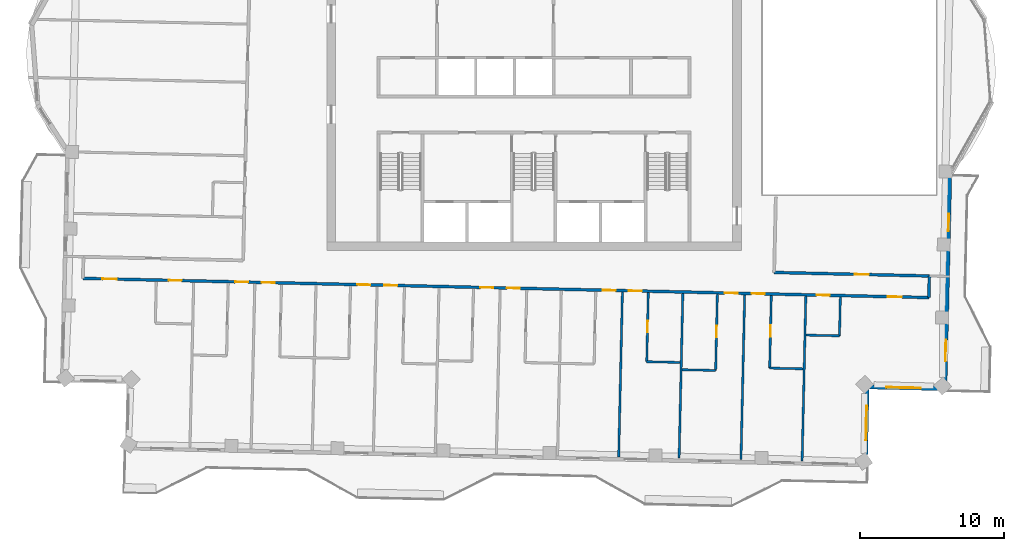
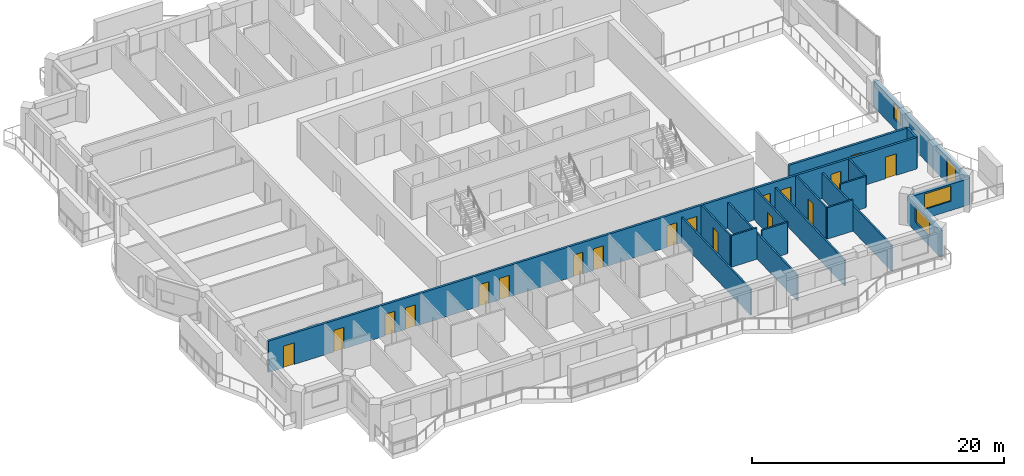
# One storey, part 6 of 15: 19 doors, 18 walls, 3 windows, 22 openings.
"""IFC4 building model written with IfcOpenShell, lengths in metres."""

from ifc_helpers import new_model, si_unit, direction, frame, frame_2d, origin, place, context, subcontext, project, spatial, rectangle, extrude, material, layer, layer_set, type_object, element, fill, save


model = new_model("IFC4")

# Units and contexts
model_context = context("Model", 3, precision=1e-05, world=origin(), true_north=direction((0.0, 1.0)))
body_context = subcontext(model_context, "Body", "Model", "MODEL_VIEW")
ifc_project = project(units=[si_unit("LENGTHUNIT", "METRE"), si_unit("AREAUNIT", "SQUARE_METRE"), si_unit("VOLUMEUNIT", "CUBIC_METRE"), si_unit("PLANEANGLEUNIT", "RADIAN"), si_unit("MASSUNIT", "GRAM", prefix="KILO")], contexts=[model_context])

# Site, building, storey
site_placement = place(None, origin())
site = spatial("IfcSite", under=ifc_project, at=site_placement, CompositionType="ELEMENT")
building_placement = place(site_placement, origin())
building = spatial("IfcBuilding", under=site, at=building_placement, Name="Mangrove Gate Tower", CompositionType="ELEMENT")
storey_placement = place(building_placement, frame((0.0, 0.0, 309.699951171875)))
storey = spatial("IfcBuildingStorey", under=building, at=storey_placement, Name="L79", CompositionType="ELEMENT", Elevation=309.699951171875)

# Wall, openings, doors
ifc_material_1 = material(Name="Gypsum board on steel stud, EI 60", Category="steel")
ifc_layer_1 = layer(ifc_material_1, 0.199951171875)
ifc_layer_set_1 = layer_set([ifc_layer_1], Name="Corridor wall EI 60")
wall_type_1 = type_object("IfcWallType", Name="Corridor wall EI 60", PredefinedType="PARTITIONING", material=ifc_layer_set_1)
wall_1_placement = place(storey_placement, frame((-31.346923828125, -13.3291015625, 0.0), z_axis=(0.0, 0.0, 1.0), x_axis=(0.999742613079, -0.022687168058, 0.0)))
wall_1 = element("IfcWall", 1, at=wall_1_placement, inside=storey, type_object=wall_type_1, Name="WALL-L79-034", PredefinedType="PARTITIONING", context=body_context, shape_type="SweptSolid", body=[
    extrude(rectangle(XDim=58.799072265625, YDim=0.199951171875, at=frame_2d((29.3994140625, 0.0))), origin(), (0.0, 0.0, 1.0), 3.050048828125),
])
opening_1_placement = place(wall_1_placement, frame((1.35009765625, 0.0, 0.0)))
opening_1 = element("IfcOpeningElement", 2, at=opening_1_placement, cuts=wall_1, Name="Opening AD", PredefinedType="OPENING", context=body_context, shape_type="SweptSolid", body=[
    extrude(rectangle(XDim=1.0, YDim=2.10009765625, at=frame_2d((0.5, 1.050048828125))), frame((0.0, 0.10986328125, 0.0), z_axis=(0.0, -1.0, 0.0), x_axis=(1.0, 0.0, 0.0)), (0.0, 0.0, 1.0), 0.219970703125),
])
opening_2_placement = place(wall_1_placement, frame((5.949951171875, 0.0, 0.0)))
opening_2 = element("IfcOpeningElement", 3, at=opening_2_placement, cuts=wall_1, Name="Opening SD", PredefinedType="OPENING", context=body_context, shape_type="SweptSolid", body=[
    extrude(rectangle(XDim=0.89990234375, YDim=2.10009765625, at=frame_2d((0.449951171875, 1.050048828125))), frame((0.0, 0.10986328125, 0.0), z_axis=(0.0, -1.0, 0.0), x_axis=(1.0, 0.0, 0.0)), (0.0, 0.0, 1.0), 0.219970703125),
])
opening_3_placement = place(wall_1_placement, frame((10.574951171875, 0.0, 0.0)))
opening_3 = element("IfcOpeningElement", 4, at=opening_3_placement, cuts=wall_1, Name="Opening BD", PredefinedType="OPENING", context=body_context, shape_type="SweptSolid", body=[
    extrude(rectangle(XDim=0.89990234375, YDim=2.10009765625, at=frame_2d((0.449951171875, 1.050048828125))), frame((0.0, 0.10986328125, 0.0), z_axis=(0.0, -1.0, 0.0), x_axis=(1.0, 0.0, 0.0)), (0.0, 0.0, 1.0), 0.219970703125),
])
opening_4_placement = place(wall_1_placement, frame((12.425048828125, 0.0, 0.0)))
opening_4 = element("IfcOpeningElement", 5, at=opening_4_placement, cuts=wall_1, Name="Opening BD", PredefinedType="OPENING", context=body_context, shape_type="SweptSolid", body=[
    extrude(rectangle(XDim=0.89990234375, YDim=2.10009765625, at=frame_2d((0.449951171875, 1.050048828125))), frame((0.0, 0.10986328125, 0.0), z_axis=(0.0, -1.0, 0.0), x_axis=(1.0, 0.0, 0.0)), (0.0, 0.0, 1.0), 0.219970703125),
])
opening_5_placement = place(wall_1_placement, frame((19.074951171875, 0.0, 0.0)))
opening_5 = element("IfcOpeningElement", 6, at=opening_5_placement, cuts=wall_1, Name="Opening BD", PredefinedType="OPENING", context=body_context, shape_type="SweptSolid", body=[
    extrude(rectangle(XDim=0.89990234375, YDim=2.10009765625, at=frame_2d((0.449951171875, 1.050048828125))), frame((0.0, 0.10986328125, 0.0), z_axis=(0.0, -1.0, 0.0), x_axis=(1.0, 0.0, 0.0)), (0.0, 0.0, 1.0), 0.219970703125),
])
opening_6_placement = place(wall_1_placement, frame((20.949951171875, 0.0, 0.0)))
opening_6 = element("IfcOpeningElement", 7, at=opening_6_placement, cuts=wall_1, Name="Opening BD", PredefinedType="OPENING", context=body_context, shape_type="SweptSolid", body=[
    extrude(rectangle(XDim=0.89990234375, YDim=2.10009765625, at=frame_2d((0.449951171875, 1.050048828125))), frame((0.0, 0.10986328125, 0.0), z_axis=(0.0, -1.0, 0.0), x_axis=(1.0, 0.0, 0.0)), (0.0, 0.0, 1.0), 0.219970703125),
])
opening_7_placement = place(wall_1_placement, frame((27.625, 0.0, 0.0)))
opening_7 = element("IfcOpeningElement", 8, at=opening_7_placement, cuts=wall_1, Name="Opening BD", PredefinedType="OPENING", context=body_context, shape_type="SweptSolid", body=[
    extrude(rectangle(XDim=0.89990234375, YDim=2.10009765625, at=frame_2d((0.449951171875, 1.050048828125))), frame((0.0, 0.10986328125, 0.0), z_axis=(0.0, -1.0, 0.0), x_axis=(1.0, 0.0, 0.0)), (0.0, 0.0, 1.0), 0.219970703125),
])
opening_8_placement = place(wall_1_placement, frame((29.47509765625, 0.0, 0.0)))
opening_8 = element("IfcOpeningElement", 9, at=opening_8_placement, cuts=wall_1, Name="Opening BD", PredefinedType="OPENING", context=body_context, shape_type="SweptSolid", body=[
    extrude(rectangle(XDim=0.89990234375, YDim=2.10009765625, at=frame_2d((0.449951171875, 1.050048828125))), frame((0.0, 0.10986328125, 0.0), z_axis=(0.0, -1.0, 0.0), x_axis=(1.0, 0.0, 0.0)), (0.0, 0.0, 1.0), 0.219970703125),
])
opening_9_placement = place(wall_1_placement, frame((36.125, 0.0, 0.0)))
opening_9 = element("IfcOpeningElement", 10, at=opening_9_placement, cuts=wall_1, Name="Opening BD", PredefinedType="OPENING", context=body_context, shape_type="SweptSolid", body=[
    extrude(rectangle(XDim=0.89990234375, YDim=2.10009765625, at=frame_2d((0.449951171875, 1.050048828125))), frame((0.0, 0.10986328125, 0.0), z_axis=(0.0, -1.0, 0.0), x_axis=(1.0, 0.0, 0.0)), (0.0, 0.0, 1.0), 0.219970703125),
])
opening_10_placement = place(wall_1_placement, frame((37.949951171875, 0.0, 0.0)))
opening_10 = element("IfcOpeningElement", 11, at=opening_10_placement, cuts=wall_1, Name="Opening BD", PredefinedType="OPENING", context=body_context, shape_type="SweptSolid", body=[
    extrude(rectangle(XDim=0.89990234375, YDim=2.10009765625, at=frame_2d((0.449951171875, 1.050048828125))), frame((0.0, 0.10986328125, 0.0), z_axis=(0.0, -1.0, 0.0), x_axis=(1.0, 0.0, 0.0)), (0.0, 0.0, 1.0), 0.219970703125),
])
opening_11_placement = place(wall_1_placement, frame((44.60009765625, 0.0, 0.0)))
opening_11 = element("IfcOpeningElement", 12, at=opening_11_placement, cuts=wall_1, Name="Opening BD", PredefinedType="OPENING", context=body_context, shape_type="SweptSolid", body=[
    extrude(rectangle(XDim=0.89990234375, YDim=2.10009765625, at=frame_2d((0.449951171875, 1.050048828125))), frame((0.0, 0.10986328125, 0.0), z_axis=(0.0, -1.0, 0.0), x_axis=(1.0, 0.0, 0.0)), (0.0, 0.0, 1.0), 0.219970703125),
])
opening_12_placement = place(wall_1_placement, frame((46.47509765625, 0.0, 0.0)))
opening_12 = element("IfcOpeningElement", 13, at=opening_12_placement, cuts=wall_1, Name="Opening BD", PredefinedType="OPENING", context=body_context, shape_type="SweptSolid", body=[
    extrude(rectangle(XDim=0.89990234375, YDim=2.10009765625, at=frame_2d((0.449951171875, 1.050048828125))), frame((0.0, 0.10986328125, 0.0), z_axis=(0.0, -1.0, 0.0), x_axis=(1.0, 0.0, 0.0)), (0.0, 0.0, 1.0), 0.219970703125),
])
opening_13_placement = place(wall_1_placement, frame((55.925048828125, 0.0, 0.0)))
opening_13 = element("IfcOpeningElement", 14, at=opening_13_placement, cuts=wall_1, Name="Opening AD", PredefinedType="OPENING", context=body_context, shape_type="SweptSolid", body=[
    extrude(rectangle(XDim=1.0, YDim=2.10009765625, at=frame_2d((0.5, 1.050048828125))), frame((0.0, 0.10986328125, 0.0), z_axis=(0.0, -1.0, 0.0), x_axis=(1.0, 0.0, 0.0)), (0.0, 0.0, 1.0), 0.219970703125),
])
opening_14_placement = place(wall_1_placement, frame((51.0, 0.0, 0.0)))
opening_14 = element("IfcOpeningElement", 15, at=opening_14_placement, cuts=wall_1, Name="Opening SD", PredefinedType="OPENING", context=body_context, shape_type="SweptSolid", body=[
    extrude(rectangle(XDim=0.89990234375, YDim=2.10009765625, at=frame_2d((0.449951171875, 1.050048828125))), frame((0.0, 0.10986328125, 0.0), z_axis=(0.0, -1.0, 0.0), x_axis=(1.0, 0.0, 0.0)), (0.0, 0.0, 1.0), 0.219970703125),
])
ifc_material_2 = material(Name="Timber door leaf", Category="wood")
door_type_1 = type_object("IfcDoorType", Name="Amenity door 1000", OperationType="SINGLE_SWING_LEFT", PredefinedType="DOOR", material=ifc_material_2)
door_1_placement = place(opening_1_placement, origin())
door_1 = element("IfcDoor", 16, at=door_1_placement, inside=storey, type_object=door_type_1, Name="DOOR-L79-LNG-c1a", OperationType="SINGLE_SWING_LEFT", OverallHeight=2.10009765625, OverallWidth=1.0, PredefinedType="DOOR", context=body_context, shape_type="SweptSolid", body=[
    extrude(rectangle(XDim=1.0, YDim=2.10009765625, at=frame_2d((0.5, 1.050048828125))), frame((0.0, 0.02490234375, 0.0), z_axis=(0.0, -1.0, 0.0), x_axis=(1.0, 0.0, 0.0)), (0.0, 0.0, 1.0), 0.050048828125),
])
fill(opening_1, door_1)
door_2_placement = place(opening_13_placement, origin())
door_2 = element("IfcDoor", 17, at=door_2_placement, inside=storey, type_object=door_type_1, Name="DOOR-L79-LNG-c3a", OperationType="SINGLE_SWING_RIGHT", OverallHeight=2.10009765625, OverallWidth=1.0, PredefinedType="DOOR", context=body_context, shape_type="SweptSolid", body=[
    extrude(rectangle(XDim=1.0, YDim=2.10009765625, at=frame_2d((0.5, 1.050048828125))), frame((0.0, 0.02490234375, 0.0), z_axis=(0.0, -1.0, 0.0), x_axis=(1.0, 0.0, 0.0)), (0.0, 0.0, 1.0), 0.050048828125),
])
fill(opening_13, door_2)
ifc_material_3 = material(Name="Timber door leaf", Category="wood")
door_type_2 = type_object("IfcDoorType", Name="Bedroom door 900", OperationType="SINGLE_SWING_LEFT", PredefinedType="DOOR", material=ifc_material_3)
door_3_placement = place(opening_3_placement, origin())
door_3 = element("IfcDoor", 18, at=door_3_placement, inside=storey, type_object=door_type_2, Name="DOOR-L79-BED-c101", OperationType="SINGLE_SWING_LEFT", OverallHeight=2.10009765625, OverallWidth=0.89990234375, PredefinedType="DOOR", context=body_context, shape_type="SweptSolid", body=[
    extrude(rectangle(XDim=0.89990234375, YDim=2.10009765625, at=frame_2d((0.449951171875, 1.050048828125))), frame((0.0, 0.02490234375, 0.0), z_axis=(0.0, -1.0, 0.0), x_axis=(1.0, 0.0, 0.0)), (0.0, 0.0, 1.0), 0.050048828125),
])
fill(opening_3, door_3)
door_4_placement = place(opening_4_placement, origin())
door_4 = element("IfcDoor", 19, at=door_4_placement, inside=storey, type_object=door_type_2, Name="DOOR-L79-BED-c102", OperationType="SINGLE_SWING_RIGHT", OverallHeight=2.10009765625, OverallWidth=0.89990234375, PredefinedType="DOOR", context=body_context, shape_type="SweptSolid", body=[
    extrude(rectangle(XDim=0.89990234375, YDim=2.10009765625, at=frame_2d((0.449951171875, 1.050048828125))), frame((0.0, 0.02490234375, 0.0), z_axis=(0.0, -1.0, 0.0), x_axis=(1.0, 0.0, 0.0)), (0.0, 0.0, 1.0), 0.050048828125),
])
fill(opening_4, door_4)
door_5_placement = place(opening_5_placement, origin())
door_5 = element("IfcDoor", 20, at=door_5_placement, inside=storey, type_object=door_type_2, Name="DOOR-L79-BED-c103", OperationType="SINGLE_SWING_LEFT", OverallHeight=2.10009765625, OverallWidth=0.89990234375, PredefinedType="DOOR", context=body_context, shape_type="SweptSolid", body=[
    extrude(rectangle(XDim=0.89990234375, YDim=2.10009765625, at=frame_2d((0.449951171875, 1.050048828125))), frame((0.0, 0.02490234375, 0.0), z_axis=(0.0, -1.0, 0.0), x_axis=(1.0, 0.0, 0.0)), (0.0, 0.0, 1.0), 0.050048828125),
])
fill(opening_5, door_5)
door_6_placement = place(opening_6_placement, origin())
door_6 = element("IfcDoor", 21, at=door_6_placement, inside=storey, type_object=door_type_2, Name="DOOR-L79-BED-c104", OperationType="SINGLE_SWING_RIGHT", OverallHeight=2.10009765625, OverallWidth=0.89990234375, PredefinedType="DOOR", context=body_context, shape_type="SweptSolid", body=[
    extrude(rectangle(XDim=0.89990234375, YDim=2.10009765625, at=frame_2d((0.449951171875, 1.050048828125))), frame((0.0, 0.02490234375, 0.0), z_axis=(0.0, -1.0, 0.0), x_axis=(1.0, 0.0, 0.0)), (0.0, 0.0, 1.0), 0.050048828125),
])
fill(opening_6, door_6)
door_7_placement = place(opening_7_placement, origin())
door_7 = element("IfcDoor", 22, at=door_7_placement, inside=storey, type_object=door_type_2, Name="DOOR-L79-BED-c205", OperationType="SINGLE_SWING_LEFT", OverallHeight=2.10009765625, OverallWidth=0.89990234375, PredefinedType="DOOR", context=body_context, shape_type="SweptSolid", body=[
    extrude(rectangle(XDim=0.89990234375, YDim=2.10009765625, at=frame_2d((0.449951171875, 1.050048828125))), frame((0.0, 0.02490234375, 0.0), z_axis=(0.0, -1.0, 0.0), x_axis=(1.0, 0.0, 0.0)), (0.0, 0.0, 1.0), 0.050048828125),
])
fill(opening_7, door_7)
door_8_placement = place(opening_8_placement, origin())
door_8 = element("IfcDoor", 23, at=door_8_placement, inside=storey, type_object=door_type_2, Name="DOOR-L79-BED-c206", OperationType="SINGLE_SWING_RIGHT", OverallHeight=2.10009765625, OverallWidth=0.89990234375, PredefinedType="DOOR", context=body_context, shape_type="SweptSolid", body=[
    extrude(rectangle(XDim=0.89990234375, YDim=2.10009765625, at=frame_2d((0.449951171875, 1.050048828125))), frame((0.0, 0.02490234375, 0.0), z_axis=(0.0, -1.0, 0.0), x_axis=(1.0, 0.0, 0.0)), (0.0, 0.0, 1.0), 0.050048828125),
])
fill(opening_8, door_8)
door_9_placement = place(opening_9_placement, origin())
door_9 = element("IfcDoor", 24, at=door_9_placement, inside=storey, type_object=door_type_2, Name="DOOR-L79-BED-c207", OperationType="SINGLE_SWING_LEFT", OverallHeight=2.10009765625, OverallWidth=0.89990234375, PredefinedType="DOOR", context=body_context, shape_type="SweptSolid", body=[
    extrude(rectangle(XDim=0.89990234375, YDim=2.10009765625, at=frame_2d((0.449951171875, 1.050048828125))), frame((0.0, 0.02490234375, 0.0), z_axis=(0.0, -1.0, 0.0), x_axis=(1.0, 0.0, 0.0)), (0.0, 0.0, 1.0), 0.050048828125),
])
fill(opening_9, door_9)
door_10_placement = place(opening_10_placement, origin())
door_10 = element("IfcDoor", 25, at=door_10_placement, inside=storey, type_object=door_type_2, Name="DOOR-L79-BED-c208", OperationType="SINGLE_SWING_RIGHT", OverallHeight=2.10009765625, OverallWidth=0.89990234375, PredefinedType="DOOR", context=body_context, shape_type="SweptSolid", body=[
    extrude(rectangle(XDim=0.89990234375, YDim=2.10009765625, at=frame_2d((0.449951171875, 1.050048828125))), frame((0.0, 0.02490234375, 0.0), z_axis=(0.0, -1.0, 0.0), x_axis=(1.0, 0.0, 0.0)), (0.0, 0.0, 1.0), 0.050048828125),
])
fill(opening_10, door_10)
door_11_placement = place(opening_11_placement, origin())
door_11 = element("IfcDoor", 26, at=door_11_placement, inside=storey, type_object=door_type_2, Name="DOOR-L79-BED-c309", OperationType="SINGLE_SWING_LEFT", OverallHeight=2.10009765625, OverallWidth=0.89990234375, PredefinedType="DOOR", context=body_context, shape_type="SweptSolid", body=[
    extrude(rectangle(XDim=0.89990234375, YDim=2.10009765625, at=frame_2d((0.449951171875, 1.050048828125))), frame((0.0, 0.02490234375, 0.0), z_axis=(0.0, -1.0, 0.0), x_axis=(1.0, 0.0, 0.0)), (0.0, 0.0, 1.0), 0.050048828125),
])
fill(opening_11, door_11)
door_12_placement = place(opening_12_placement, origin())
door_12 = element("IfcDoor", 27, at=door_12_placement, inside=storey, type_object=door_type_2, Name="DOOR-L79-BED-c310", OperationType="SINGLE_SWING_RIGHT", OverallHeight=2.10009765625, OverallWidth=0.89990234375, PredefinedType="DOOR", context=body_context, shape_type="SweptSolid", body=[
    extrude(rectangle(XDim=0.89990234375, YDim=2.10009765625, at=frame_2d((0.449951171875, 1.050048828125))), frame((0.0, 0.02490234375, 0.0), z_axis=(0.0, -1.0, 0.0), x_axis=(1.0, 0.0, 0.0)), (0.0, 0.0, 1.0), 0.050048828125),
])
fill(opening_12, door_12)
ifc_material_4 = material(Name="Timber door leaf", Category="wood")
door_type_3 = type_object("IfcDoorType", Name="Service room door 900", OperationType="SINGLE_SWING_LEFT", PredefinedType="DOOR", material=ifc_material_4)
door_13_placement = place(opening_2_placement, origin())
door_13 = element("IfcDoor", 28, at=door_13_placement, inside=storey, type_object=door_type_3, Name="DOOR-L79-AWC-c1a", OperationType="SINGLE_SWING_LEFT", OverallHeight=2.10009765625, OverallWidth=0.89990234375, PredefinedType="DOOR", context=body_context, shape_type="SweptSolid", body=[
    extrude(rectangle(XDim=0.89990234375, YDim=2.10009765625, at=frame_2d((0.449951171875, 1.050048828125))), frame((0.0, 0.02490234375, 0.0), z_axis=(0.0, -1.0, 0.0), x_axis=(1.0, 0.0, 0.0)), (0.0, 0.0, 1.0), 0.050048828125),
])
fill(opening_2, door_13)
door_14_placement = place(opening_14_placement, origin())
door_14 = element("IfcDoor", 29, at=door_14_placement, inside=storey, type_object=door_type_3, Name="DOOR-L79-WC-c3a", OperationType="SINGLE_SWING_RIGHT", OverallHeight=2.10009765625, OverallWidth=0.89990234375, PredefinedType="DOOR", context=body_context, shape_type="SweptSolid", body=[
    extrude(rectangle(XDim=0.89990234375, YDim=2.10009765625, at=frame_2d((0.449951171875, 1.050048828125))), frame((0.0, 0.02490234375, 0.0), z_axis=(0.0, -1.0, 0.0), x_axis=(1.0, 0.0, 0.0)), (0.0, 0.0, 1.0), 0.050048828125),
])
fill(opening_14, door_14)

# Wall
wall_2_placement = place(storey_placement, frame((27.43701171875, -14.6630859375, 0.0), z_axis=(0.0, 0.0, 1.0), x_axis=(0.022617910375, 0.999744182344, 0.0)))
element("IfcWall", 30, at=wall_2_placement, inside=storey, type_object=wall_type_1, Name="WALL-L79-036", PredefinedType="PARTITIONING", context=body_context, shape_type="SweptSolid", body=[
    extrude(rectangle(XDim=1.50048828125, YDim=0.199951171875, at=frame_2d((0.750244140625, 0.0))), origin(), (0.0, 0.0, 1.0), 3.050048828125),
])

# Wall, opening, door
wall_3_placement = place(storey_placement, frame((16.678955078125, -12.91796875, 0.0), z_axis=(0.0, 0.0, 1.0), x_axis=(0.999742162372, -0.022707020428, 0.0)))
wall_3 = element("IfcWall", 31, at=wall_3_placement, inside=storey, type_object=wall_type_1, Name="WALL-L79-040", PredefinedType="PARTITIONING", context=body_context, shape_type="SweptSolid", body=[
    extrude(rectangle(XDim=10.794677734375, YDim=0.199951171875, at=frame_2d((5.3974609375, 0.0))), origin(), (0.0, 0.0, 1.0), 3.050048828125),
])
opening_15_placement = place(wall_3_placement, frame((5.597900390625, 0.0, 0.0)))
opening_15 = element("IfcOpeningElement", 32, at=opening_15_placement, cuts=wall_3, Name="Opening AD", PredefinedType="OPENING", context=body_context, shape_type="SweptSolid", body=[
    extrude(rectangle(XDim=1.0, YDim=2.10009765625, at=frame_2d((0.5, 1.050048828125))), frame((0.0, 0.10986328125, 0.0), z_axis=(0.0, -1.0, 0.0), x_axis=(1.0, 0.0, 0.0)), (0.0, 0.0, 1.0), 0.219970703125),
])
door_15_placement = place(opening_15_placement, origin())
door_15 = element("IfcDoor", 33, at=door_15_placement, inside=storey, type_object=door_type_1, Name="DOOR-L79-LNG-c3b", OperationType="SINGLE_SWING_LEFT", OverallHeight=2.10009765625, OverallWidth=1.0, PredefinedType="DOOR", context=body_context, shape_type="SweptSolid", body=[
    extrude(rectangle(XDim=1.0, YDim=2.10009765625, at=frame_2d((0.5, 1.050048828125))), frame((0.0, 0.02490234375, 0.0), z_axis=(0.0, -1.0, 0.0), x_axis=(1.0, 0.0, 0.0)), (0.0, 0.0, 1.0), 0.050048828125),
])
fill(opening_15, door_15)

# Wall, openings, door, window
ifc_material_5 = material(Name="Limestone", Category="masonry")
ifc_layer_2 = layer(ifc_material_5, 0.0400390625, Name="Limestone cladding")
ifc_material_6 = material(Name="Ventilated air gap")
ifc_layer_3 = layer(ifc_material_6, 0.0400390625, Name="Ventilated cavity")
ifc_material_7 = material(Name="Mineral wool insulation")
ifc_layer_4 = layer(ifc_material_7, 0.06005859375, Name="Insulation")
ifc_material_8 = material(Name="Breather membrane")
ifc_layer_5 = layer(ifc_material_8, 0.001953125, Name="Breather membrane")
ifc_material_9 = material(Name="Concrete C20/25 blockwork", Category="masonry")
ifc_layer_6 = layer(ifc_material_9, 0.14990234375, Name="Blockwork backing wall")
ifc_material_10 = material(Name="Gypsum plaster")
ifc_layer_7 = layer(ifc_material_10, 0.008056640625, Name="Internal plaster")
ifc_layer_set_2 = layer_set([ifc_layer_2, ifc_layer_3, ifc_layer_4, ifc_layer_5, ifc_layer_6, ifc_layer_7], Name="External wall 300 limestone cladding")
wall_type_2 = type_object("IfcWallType", Name="External wall 300 limestone cladding", PredefinedType="SOLIDWALL", material=ifc_layer_set_2)
wall_4_placement = place(storey_placement, frame((28.5439453125, -20.989990234375, 0.0), z_axis=(0.0, 0.0, 1.0), x_axis=(0.022676396018, 0.999742857471, 0.0)))
wall_4 = element("IfcWall", 34, at=wall_4_placement, inside=storey, type_object=wall_type_2, Name="WALL-L79-E0s1", PredefinedType="SOLIDWALL", context=body_context, shape_type="SweptSolid", body=[
    extrude(rectangle(XDim=15.52490234375, YDim=0.300048828125, at=frame_2d((7.762451171875, 0.0))), origin(), (0.0, 0.0, 1.0), 2.550048828125),
])
opening_16_placement = place(wall_4_placement, frame((1.89501953125, 0.0, 0.0)))
opening_16 = element("IfcOpeningElement", 35, at=opening_16_placement, cuts=wall_4, Name="Opening BD1", PredefinedType="OPENING", context=body_context, shape_type="SweptSolid", body=[
    extrude(rectangle(XDim=1.5, YDim=2.39990234375, at=frame_2d((0.75, 1.199951171875))), frame((0.0, 0.159912109375, 0.0), z_axis=(0.0, -1.0, 0.0), x_axis=(1.0, 0.0, 0.0)), (0.0, 0.0, 1.0), 0.320068359375),
])
opening_17_placement = place(wall_4_placement, frame((10.946044921875, 0.0, 0.89990234375)))
opening_17 = element("IfcOpeningElement", 36, at=opening_17_placement, cuts=wall_4, Name="Opening W1", PredefinedType="OPENING", context=body_context, shape_type="SweptSolid", body=[
    extrude(rectangle(XDim=1.199951171875, YDim=1.5, at=frame_2d((0.60009765625, 0.75))), frame((0.0, 0.159912109375, 0.0), z_axis=(0.0, -1.0, 0.0), x_axis=(1.0, 0.0, 0.0)), (0.0, 0.0, 1.0), 0.320068359375),
])
ifc_material_11 = material(Name="Aluminium frame with laminated clear glass", Category="aluminium")
door_type_4 = type_object("IfcDoorType", Name="Balcony sliding door 1500x2400", OperationType="SLIDING_TO_LEFT", PredefinedType="DOOR", material=ifc_material_11)
door_16_placement = place(opening_16_placement, origin())
door_16 = element("IfcDoor", 37, at=door_16_placement, inside=storey, type_object=door_type_4, Name="DOOR-L79-E0-1", OperationType="SLIDING_TO_LEFT", OverallHeight=2.39990234375, OverallWidth=1.5, PredefinedType="DOOR", context=body_context, shape_type="SweptSolid", body=[
    extrude(rectangle(XDim=1.5, YDim=2.39990234375, at=frame_2d((0.75, 1.199951171875))), frame((0.0, 0.02490234375, 0.0), z_axis=(0.0, -1.0, 0.0), x_axis=(1.0, 0.0, 0.0)), (0.0, 0.0, 1.0), 0.050048828125),
])
fill(opening_16, door_16)
ifc_material_12 = material(Name="Aluminium frame with double-glazed low-e glass", Category="aluminium")
window_type_1 = type_object("IfcWindowType", Name="Side lite 1200x1500", PartitioningType="SINGLE_PANEL", PredefinedType="WINDOW", material=ifc_material_12)
window_1_placement = place(opening_17_placement, origin())
window_1 = element("IfcWindow", 38, at=window_1_placement, inside=storey, type_object=window_type_1, Name="WIN-L79-E0-2", OverallHeight=1.5, OverallWidth=1.199951171875, PartitioningType="SINGLE_PANEL", PredefinedType="WINDOW", context=body_context, shape_type="SweptSolid", body=[
    extrude(rectangle(XDim=1.199951171875, YDim=1.5, at=frame_2d((0.60009765625, 0.75))), frame((0.0, 0.030029296875, 0.0), z_axis=(0.0, -1.0, 0.0), x_axis=(1.0, 0.0, 0.0)), (0.0, 0.0, 1.0), 0.06005859375),
])
fill(opening_17, window_1)

# Wall, opening, window
wall_5_placement = place(storey_placement, frame((23.02294921875, -26.26611328125, 0.0), z_axis=(0.0, 0.0, 1.0), x_axis=(0.022784045517, 0.999740409941, 0.0)))
wall_5 = element("IfcWall", 39, at=wall_5_placement, inside=storey, type_object=wall_type_2, Name="WALL-L79-E14", PredefinedType="SOLIDWALL", context=body_context, shape_type="SweptSolid", body=[
    extrude(rectangle(XDim=5.400634765625, YDim=0.300048828125, at=frame_2d((2.7001953125, 0.0))), origin(), (0.0, 0.0, 1.0), 2.550048828125),
])
opening_18_placement = place(wall_5_placement, frame((1.68701171875, 0.0, 0.89990234375)))
opening_18 = element("IfcOpeningElement", 40, at=opening_18_placement, cuts=wall_5, Name="Opening W2", PredefinedType="OPENING", context=body_context, shape_type="SweptSolid", body=[
    extrude(rectangle(XDim=2.39990234375, YDim=1.5, at=frame_2d((1.199951171875, 0.75))), frame((0.0, 0.159912109375, 0.0), z_axis=(0.0, -1.0, 0.0), x_axis=(1.0, 0.0, 0.0)), (0.0, 0.0, 1.0), 0.320068359375),
])
ifc_material_13 = material(Name="Aluminium frame with double-glazed low-e glass", Category="aluminium")
window_type_2 = type_object("IfcWindowType", Name="Corner room window 2400x1500", PartitioningType="DOUBLE_PANEL_VERTICAL", PredefinedType="WINDOW", material=ifc_material_13)
window_2_placement = place(opening_18_placement, origin())
window_2 = element("IfcWindow", 41, at=window_2_placement, inside=storey, type_object=window_type_2, Name="WIN-L79-E14-1", OverallHeight=1.5, OverallWidth=2.39990234375, PartitioningType="DOUBLE_PANEL_VERTICAL", PredefinedType="WINDOW", context=body_context, shape_type="SweptSolid", body=[
    extrude(rectangle(XDim=2.39990234375, YDim=1.5, at=frame_2d((1.199951171875, 0.75))), frame((0.0, 0.030029296875, 0.0), z_axis=(0.0, -1.0, 0.0), x_axis=(1.0, 0.0, 0.0)), (0.0, 0.0, 1.0), 0.06005859375),
])
fill(opening_18, window_2)

wall_6_placement = place(storey_placement, frame((23.14599609375, -20.866943359375, 0.0), z_axis=(0.0, 0.0, 1.0), x_axis=(0.999740292565, -0.022789195272, 0.0)))
wall_6 = element("IfcWall", 42, at=wall_6_placement, inside=storey, type_object=wall_type_2, Name="WALL-L79-S15", PredefinedType="SOLIDWALL", context=body_context, shape_type="SweptSolid", body=[
    extrude(rectangle(XDim=5.3994140625, YDim=0.300048828125, at=frame_2d((2.69970703125, 0.0))), origin(), (0.0, 0.0, 1.0), 2.550048828125),
])
opening_19_placement = place(wall_6_placement, frame((1.3369140625, 0.0, 0.89990234375)))
opening_19 = element("IfcOpeningElement", 43, at=opening_19_placement, cuts=wall_6, Name="Opening W2", PredefinedType="OPENING", context=body_context, shape_type="SweptSolid", body=[
    extrude(rectangle(XDim=2.39990234375, YDim=1.5, at=frame_2d((1.199951171875, 0.75))), frame((0.0, 0.159912109375, 0.0), z_axis=(0.0, -1.0, 0.0), x_axis=(1.0, 0.0, 0.0)), (0.0, 0.0, 1.0), 0.320068359375),
])
window_3_placement = place(opening_19_placement, origin())
window_3 = element("IfcWindow", 44, at=window_3_placement, inside=storey, type_object=window_type_2, Name="WIN-L79-S15-1", OverallHeight=1.5, OverallWidth=2.39990234375, PartitioningType="DOUBLE_PANEL_VERTICAL", PredefinedType="WINDOW", context=body_context, shape_type="SweptSolid", body=[
    extrude(rectangle(XDim=2.39990234375, YDim=1.5, at=frame_2d((1.199951171875, 0.75))), frame((0.0, 0.030029296875, 0.0), z_axis=(0.0, -1.0, 0.0), x_axis=(1.0, 0.0, 0.0)), (0.0, 0.0, 1.0), 0.06005859375),
])
fill(opening_19, window_3)

# Walls
ifc_material_14 = material(Name="Gypsum board on steel stud, EI 60", Category="steel")
ifc_layer_8 = layer(ifc_material_14, 0.14990234375)
ifc_layer_set_3 = layer_set([ifc_layer_8], Name="Party wall 150 EI 60")
wall_type_3 = type_object("IfcWallType", Name="Party wall 150 EI 60", PredefinedType="PARTITIONING", material=ifc_layer_set_3)
for number, where, z_axis, x_axis, name in (
    (45, (5.881103515625, -25.72705078125, 0.0), (0.0, 0.0, 1.0), (0.022708327922, 0.999742132674, 0.0), "WALL-L79-008"),
    (46, (10.080078125, -25.822021484375, 0.0), (0.0, 0.0, 1.0), (0.022708327922, 0.999742132674, 0.0), "WALL-L79-009"),
    (47, (14.37890625, -25.919921875, 0.0), (0.0, 0.0, 1.0), (0.022623082162, 0.999744065325, 0.0), "WALL-L79-010"),
    (48, (18.6279296875, -26.01611328125, 0.0), (0.0, 0.0, 1.0), (0.022623082162, 0.999744065325, 0.0), "WALL-L79-011"),
):
    element("IfcWall", number, at=place(storey_placement, frame(where, z_axis=z_axis, x_axis=x_axis)), inside=storey, type_object=wall_type_3, Name=name, PredefinedType="PARTITIONING", context=body_context, shape_type="SweptSolid", body=[
        extrude(rectangle(XDim=11.449951171875, YDim=0.14990234375, at=frame_2d((5.72509765625, 0.0))), origin(), (0.0, 0.0, 1.0), 2.5),
    ])
wall_7_placement = place(storey_placement, frame((10.2939453125, -19.675048828125, 0.0), z_axis=(0.0, 0.0, 1.0), x_axis=(0.999740478815, -0.022781023197, 0.0)))
element("IfcWall", 49, at=wall_7_placement, inside=storey, type_object=wall_type_3, Name="WALL-L79-014", PredefinedType="PARTITIONING", context=body_context, shape_type="SweptSolid", body=[
    extrude(rectangle(XDim=2.325439453125, YDim=0.14990234375, at=frame_2d((1.16259765625, 0.0))), origin(), (0.0, 0.0, 1.0), 3.050048828125),
])

# Wall, opening, door
wall_8_placement = place(storey_placement, frame((12.618896484375, -19.72802734375, 0.0), z_axis=(0.0, 0.0, 1.0), x_axis=(0.022661766832, 0.999743189186, 0.0)))
wall_8 = element("IfcWall", 50, at=wall_8_placement, inside=storey, type_object=wall_type_3, Name="WALL-L79-015", PredefinedType="PARTITIONING", context=body_context, shape_type="SweptSolid", body=[
    extrude(rectangle(XDim=5.300537109375, YDim=0.14990234375, at=frame_2d((2.650390625, 0.0))), origin(), (0.0, 0.0, 1.0), 3.050048828125),
])
opening_20_placement = place(wall_8_placement, frame((2.300048828125, 0.0, 0.0)))
opening_20 = element("IfcOpeningElement", 51, at=opening_20_placement, cuts=wall_8, Name="Opening ED", PredefinedType="OPENING", context=body_context, shape_type="SweptSolid", body=[
    extrude(rectangle(XDim=0.800048828125, YDim=2.10009765625, at=frame_2d((0.39990234375, 1.050048828125))), frame((0.0, 0.0849609375, 0.0), z_axis=(0.0, -1.0, 0.0), x_axis=(1.0, 0.0, 0.0)), (0.0, 0.0, 1.0), 0.169921875),
])
ifc_material_15 = material(Name="Timber door leaf", Category="wood")
door_type_5 = type_object("IfcDoorType", Name="En-suite door 800", OperationType="SINGLE_SWING_LEFT", PredefinedType="DOOR", material=ifc_material_15)
door_17_placement = place(opening_20_placement, origin())
door_17 = element("IfcDoor", 52, at=door_17_placement, inside=storey, type_object=door_type_5, Name="DOOR-L79-ENS-c309", OperationType="SINGLE_SWING_LEFT", OverallHeight=2.10009765625, OverallWidth=0.800048828125, PredefinedType="DOOR", context=body_context, shape_type="SweptSolid", body=[
    extrude(rectangle(XDim=0.800048828125, YDim=2.10009765625, at=frame_2d((0.39990234375, 1.050048828125))), frame((0.0, 0.02490234375, 0.0), z_axis=(0.0, -1.0, 0.0), x_axis=(1.0, 0.0, 0.0)), (0.0, 0.0, 1.0), 0.050048828125),
])
fill(opening_20, door_17)

# Wall
wall_9_placement = place(storey_placement, frame((16.373046875, -19.56298828125, 0.0), z_axis=(0.0, 0.0, 1.0), x_axis=(0.999740478815, -0.022781023197, 0.0)))
element("IfcWall", 53, at=wall_9_placement, inside=storey, type_object=wall_type_3, Name="WALL-L79-026", PredefinedType="PARTITIONING", context=body_context, shape_type="SweptSolid", body=[
    extrude(rectangle(XDim=2.325439453125, YDim=0.14990234375, at=frame_2d((1.16259765625, 0.0))), origin(), (0.0, 0.0, 1.0), 3.050048828125),
])

# Wall, opening, door
wall_10_placement = place(storey_placement, frame((16.373046875, -19.56298828125, 0.0), z_axis=(0.0, 0.0, 1.0), x_axis=(0.022773025649, 0.999740661023, 0.0)))
wall_10 = element("IfcWall", 54, at=wall_10_placement, inside=storey, type_object=wall_type_3, Name="WALL-L79-027", PredefinedType="PARTITIONING", context=body_context, shape_type="SweptSolid", body=[
    extrude(rectangle(XDim=5.04931640625, YDim=0.14990234375, at=frame_2d((2.524658203125, 0.0))), origin(), (0.0, 0.0, 1.0), 3.050048828125),
])
opening_21_placement = place(wall_10_placement, frame((2.175048828125, 0.0, 0.0)))
opening_21 = element("IfcOpeningElement", 55, at=opening_21_placement, cuts=wall_10, Name="Opening ED", PredefinedType="OPENING", context=body_context, shape_type="SweptSolid", body=[
    extrude(rectangle(XDim=0.800048828125, YDim=2.10009765625, at=frame_2d((0.39990234375, 1.050048828125))), frame((0.0, 0.0849609375, 0.0), z_axis=(0.0, -1.0, 0.0), x_axis=(1.0, 0.0, 0.0)), (0.0, 0.0, 1.0), 0.169921875),
])
door_18_placement = place(opening_21_placement, origin())
door_18 = element("IfcDoor", 56, at=door_18_placement, inside=storey, type_object=door_type_5, Name="DOOR-L79-ENS-c310", OperationType="SINGLE_SWING_RIGHT", OverallHeight=2.10009765625, OverallWidth=0.800048828125, PredefinedType="DOOR", context=body_context, shape_type="SweptSolid", body=[
    extrude(rectangle(XDim=0.800048828125, YDim=2.10009765625, at=frame_2d((0.39990234375, 1.050048828125))), frame((0.0, 0.02490234375, 0.0), z_axis=(0.0, -1.0, 0.0), x_axis=(1.0, 0.0, 0.0)), (0.0, 0.0, 1.0), 0.050048828125),
])
fill(opening_21, door_18)

# Wall
wall_11_placement = place(storey_placement, frame((7.8310546875, -19.118896484375, 0.0), z_axis=(0.0, 0.0, 1.0), x_axis=(0.999738082346, -0.022885950011, 0.0)))
element("IfcWall", 57, at=wall_11_placement, inside=storey, type_object=wall_type_3, Name="WALL-L79-028", PredefinedType="PARTITIONING", context=body_context, shape_type="SweptSolid", body=[
    extrude(rectangle(XDim=2.325439453125, YDim=0.14990234375, at=frame_2d((1.16259765625, 0.0))), origin(), (0.0, 0.0, 1.0), 3.050048828125),
])

# Wall, opening, door
wall_12_placement = place(storey_placement, frame((7.8310546875, -19.118896484375, 0.0), z_axis=(0.0, 0.0, 1.0), x_axis=(0.022689048768, 0.999742570398, 0.0)))
wall_12 = element("IfcWall", 58, at=wall_12_placement, inside=storey, type_object=wall_type_3, Name="WALL-L79-029", PredefinedType="PARTITIONING", context=body_context, shape_type="SweptSolid", body=[
    extrude(rectangle(XDim=4.799072265625, YDim=0.14990234375, at=frame_2d((2.3994140625, 0.0))), origin(), (0.0, 0.0, 1.0), 3.050048828125),
])
opening_22_placement = place(wall_12_placement, frame((2.050048828125, 0.0, 0.0)))
opening_22 = element("IfcOpeningElement", 59, at=opening_22_placement, cuts=wall_12, Name="Opening ED", PredefinedType="OPENING", context=body_context, shape_type="SweptSolid", body=[
    extrude(rectangle(XDim=0.800048828125, YDim=2.10009765625, at=frame_2d((0.39990234375, 1.050048828125))), frame((0.0, 0.0849609375, 0.0), z_axis=(0.0, -1.0, 0.0), x_axis=(1.0, 0.0, 0.0)), (0.0, 0.0, 1.0), 0.169921875),
])
door_19_placement = place(opening_22_placement, origin())
door_19 = element("IfcDoor", 60, at=door_19_placement, inside=storey, type_object=door_type_5, Name="DOOR-L79-ENS-c208", OperationType="SINGLE_SWING_RIGHT", OverallHeight=2.10009765625, OverallWidth=0.800048828125, PredefinedType="DOOR", context=body_context, shape_type="SweptSolid", body=[
    extrude(rectangle(XDim=0.800048828125, YDim=2.10009765625, at=frame_2d((0.39990234375, 1.050048828125))), frame((0.0, 0.02490234375, 0.0), z_axis=(0.0, -1.0, 0.0), x_axis=(1.0, 0.0, 0.0)), (0.0, 0.0, 1.0), 0.050048828125),
])
fill(opening_22, door_19)

# Walls
wall_13_placement = place(storey_placement, frame((18.90087890625, -17.27001953125, 0.0), z_axis=(0.0, 0.0, 1.0), x_axis=(0.99974031529, -0.022788198363, 0.0)))
element("IfcWall", 61, at=wall_13_placement, inside=storey, type_object=wall_type_3, Name="WALL-L79-032", PredefinedType="PARTITIONING", context=body_context, shape_type="SweptSolid", body=[
    extrude(rectangle(XDim=2.32470703125, YDim=0.14990234375, at=frame_2d((1.162353515625, 0.0))), origin(), (0.0, 0.0, 1.0), 3.050048828125),
])
wall_14_placement = place(storey_placement, frame((21.22509765625, -17.322998046875, 0.0), z_axis=(0.0, 0.0, 1.0), x_axis=(0.022961663075, 0.999736346258, 0.0)))
element("IfcWall", 62, at=wall_14_placement, inside=storey, type_object=wall_type_3, Name="WALL-L79-033", PredefinedType="PARTITIONING", context=body_context, shape_type="SweptSolid", body=[
    extrude(rectangle(XDim=2.70068359375, YDim=0.14990234375, at=frame_2d((1.350341796875, 0.0))), origin(), (0.0, 0.0, 1.0), 3.050048828125),
])

save(model, "model.ifc")
